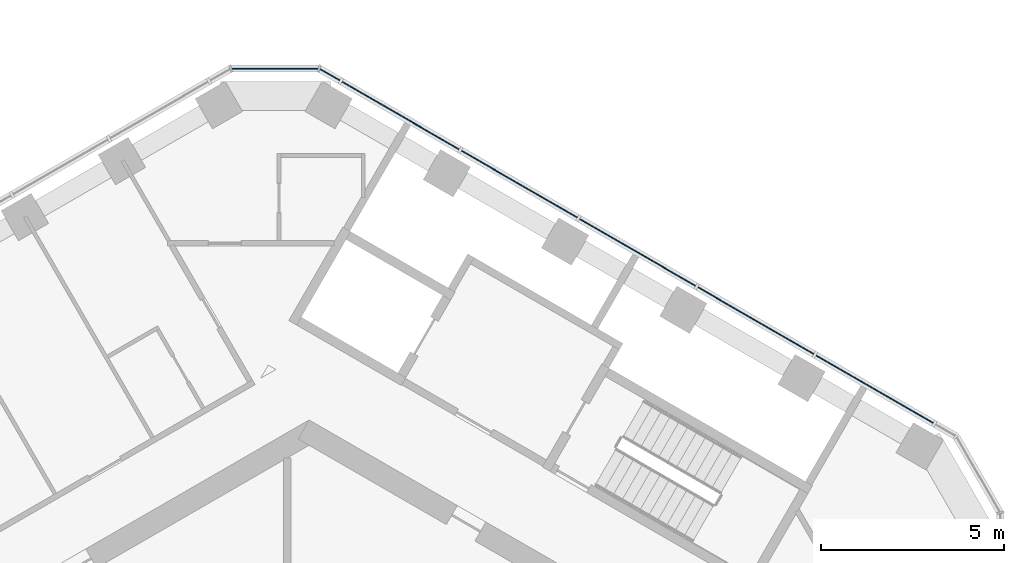
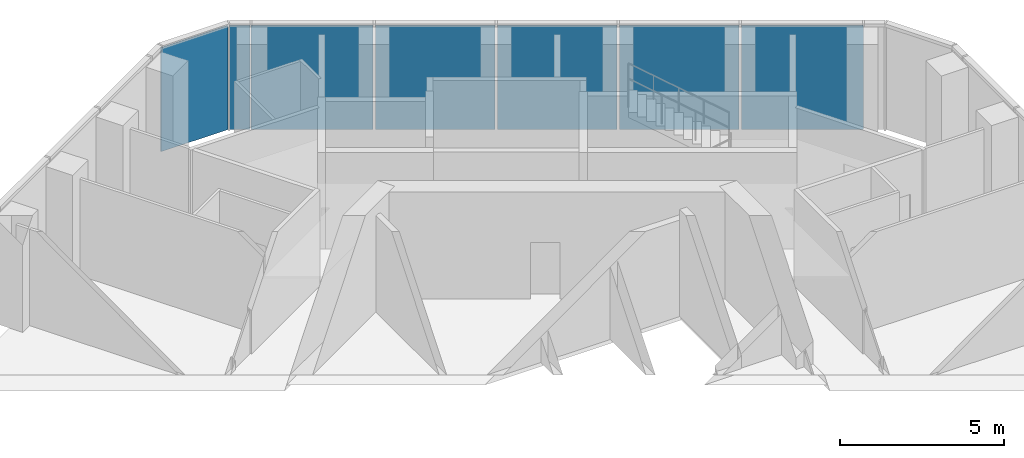
# One storey, part 14 of 21: 7 plates, 2 elements without a shape of their own.
"""IFC4 building model written with IfcOpenShell, lengths in metres."""

from ifc_helpers import new_model, si_unit, direction, frame, origin, origin_2d, place, context, subcontext, project, spatial, rectangle, extrude, material, layer, layer_set, type_object, element, aggregate, save


model = new_model("IFC4")

# Units and contexts
model_context = context("Model", 3, precision=1e-05, world=origin(), true_north=direction((0.0, 1.0)))
body_context = subcontext(model_context, "Body", "Model", "MODEL_VIEW")
ifc_project = project(units=[si_unit("LENGTHUNIT", "METRE"), si_unit("AREAUNIT", "SQUARE_METRE"), si_unit("VOLUMEUNIT", "CUBIC_METRE"), si_unit("PLANEANGLEUNIT", "RADIAN"), si_unit("MASSUNIT", "GRAM", prefix="KILO")], contexts=[model_context])

# Site, building, storey
site_placement = place(None, origin())
site = spatial("IfcSite", under=ifc_project, at=site_placement, CompositionType="ELEMENT")
building_placement = place(site_placement, origin())
building = spatial("IfcBuilding", under=site, at=building_placement, Name="Ayvan Gate Tower", CompositionType="ELEMENT")
storey_placement = place(building_placement, frame((0.0, 0.0, 206.10009765625)))
storey = spatial("IfcBuildingStorey", under=building, at=storey_placement, Name="L55", CompositionType="ELEMENT", Elevation=206.10009765625)

# Curtain wall, plates
ifc_material_1 = material(Name="Bronze anodised aluminium", Category="aluminium")
ifc_layer_1 = layer(ifc_material_1, 0.199951171875)
ifc_layer_set_1 = layer_set([ifc_layer_1], Name="Bronze anodised aluminium")
curtain_wall_type_1 = type_object("IfcCurtainWallType", Name="Stick curtain wall CW-2", PredefinedType="NOTDEFINED", material=ifc_layer_set_1)
curtain_wall_1_placement = place(storey_placement, origin())
curtain_wall_1 = element("IfcCurtainWall", 1, at=curtain_wall_1_placement, inside=storey, type_object=curtain_wall_type_1, Name="Stick curtain wall CW-2 L55", PredefinedType="NOTDEFINED")
ifc_material_2 = material(Name="Clear low-iron laminated glass", Category="glass")
ifc_layer_2 = layer(ifc_material_2, 0.028076171875)
ifc_layer_set_2 = layer_set([ifc_layer_2], Name="Clear low-iron laminated glass")
plate_type_1 = type_object("IfcPlateType", Name="Stick curtain wall CW-2 glass panel", PredefinedType="CURTAIN_PANEL", material=ifc_layer_set_2)
plate_1_placement = place(storey_placement, frame((15.469482421875, 11.800537109375, 0.0), z_axis=(0.0, 0.0, 1.0), x_axis=(-0.866025403784, 0.5, 0.0)))
plate_1 = element("IfcPlate", 2, at=plate_1_placement, type_object=plate_type_1, Name="CW-2 glass panel 1", PredefinedType="CURTAIN_PANEL", context=body_context, shape_type="SweptSolid", body=[
    extrude(rectangle(XDim=3.73291015625, YDim=0.028076171875, at=origin_2d()), origin(), (0.0, 0.0, 1.0), 3.8798828125),
])
plate_2_placement = place(storey_placement, frame((12.207763671875, 13.683837890625, 0.0), z_axis=(0.0, 0.0, 1.0), x_axis=(-0.866025403784, 0.5, 0.0)))
plate_2 = element("IfcPlate", 3, at=plate_2_placement, type_object=plate_type_1, Name="CW-2 glass panel 2", PredefinedType="CURTAIN_PANEL", context=body_context, shape_type="SweptSolid", body=[
    extrude(rectangle(XDim=3.659912109375, YDim=0.028076171875, at=origin_2d()), origin(), (0.0, 0.0, 1.0), 3.8798828125),
])
plate_3_placement = place(storey_placement, frame((8.97705078125, 15.549072265625, 0.0), z_axis=(0.0, 0.0, 1.0), x_axis=(-0.866025403784, 0.5, 0.0)))
plate_3 = element("IfcPlate", 4, at=plate_3_placement, type_object=plate_type_1, Name="CW-2 glass panel 3", PredefinedType="CURTAIN_PANEL", context=body_context, shape_type="SweptSolid", body=[
    extrude(rectangle(XDim=3.660888671875, YDim=0.028076171875, at=origin_2d()), origin(), (0.0, 0.0, 1.0), 3.8798828125),
])
plate_4_placement = place(storey_placement, frame((5.746337890625, 17.414306640625, 0.0), z_axis=(0.0, 0.0, 1.0), x_axis=(-0.866025403784, 0.5, 0.0)))
plate_4 = element("IfcPlate", 5, at=plate_4_placement, type_object=plate_type_1, Name="CW-2 glass panel 4", PredefinedType="CURTAIN_PANEL", context=body_context, shape_type="SweptSolid", body=[
    extrude(rectangle(XDim=3.659912109375, YDim=0.028076171875, at=origin_2d()), origin(), (0.0, 0.0, 1.0), 3.8798828125),
])
plate_5_placement = place(storey_placement, frame((2.484619140625, 19.297607421875, 0.0), z_axis=(0.0, 0.0, 1.0), x_axis=(-0.866025403784, 0.5, 0.0)))
plate_5 = element("IfcPlate", 6, at=plate_5_placement, type_object=plate_type_1, Name="CW-2 glass panel 5", PredefinedType="CURTAIN_PANEL", context=body_context, shape_type="SweptSolid", body=[
    extrude(rectangle(XDim=3.732421875, YDim=0.028076171875, at=origin_2d()), origin(), (0.0, 0.0, 1.0), 3.8798828125),
])
aggregate(curtain_wall_1, [plate_1, plate_2, plate_3, plate_4, plate_5])

ifc_layer_3 = layer(ifc_material_1, 0.199951171875)
ifc_layer_set_3 = layer_set([ifc_layer_3], Name="Bronze anodised aluminium")
curtain_wall_type_2 = type_object("IfcCurtainWallType", Name="Stick curtain wall CW-6", PredefinedType="NOTDEFINED", material=ifc_layer_set_3)
curtain_wall_2_placement = place(storey_placement, origin())
curtain_wall_2 = element("IfcCurtainWall", 7, at=curtain_wall_2_placement, inside=storey, type_object=curtain_wall_type_2, Name="Stick curtain wall CW-6 L55", PredefinedType="NOTDEFINED")
ifc_layer_4 = layer(ifc_material_2, 0.028076171875)
ifc_layer_set_4 = layer_set([ifc_layer_4], Name="Clear low-iron laminated glass")
plate_type_2 = type_object("IfcPlateType", Name="Stick curtain wall CW-6 glass panel", PredefinedType="CURTAIN_PANEL", material=ifc_layer_set_4)
plate_6_placement = place(storey_placement, frame((0.5673828125, 20.404296875, 0.0), z_axis=(0.0, 0.0, 1.0), x_axis=(-0.866025403784, 0.5, 0.0)))
plate_6 = element("IfcPlate", 8, at=plate_6_placement, type_object=plate_type_2, Name="CW-6 glass panel 1", PredefinedType="CURTAIN_PANEL", context=body_context, shape_type="SweptSolid", body=[
    extrude(rectangle(XDim=0.625, YDim=0.028076171875, at=origin_2d()), origin(), (0.0, 0.0, 1.0), 3.8798828125),
])
plate_7_placement = place(storey_placement, frame((-0.93212890625, 20.5732421875, 0.0), z_axis=(0.0, 0.0, 1.0), x_axis=(-1.0, 0.0, 0.0)))
plate_7 = element("IfcPlate", 9, at=plate_7_placement, type_object=plate_type_2, Name="CW-6 glass panel 2", PredefinedType="CURTAIN_PANEL", context=body_context, shape_type="SweptSolid", body=[
    extrude(rectangle(XDim=2.364501953125, YDim=0.028076171875, at=origin_2d()), origin(), (0.0, 0.0, 1.0), 3.8798828125),
])
aggregate(curtain_wall_2, [plate_6, plate_7])

save(model, "model.ifc")
